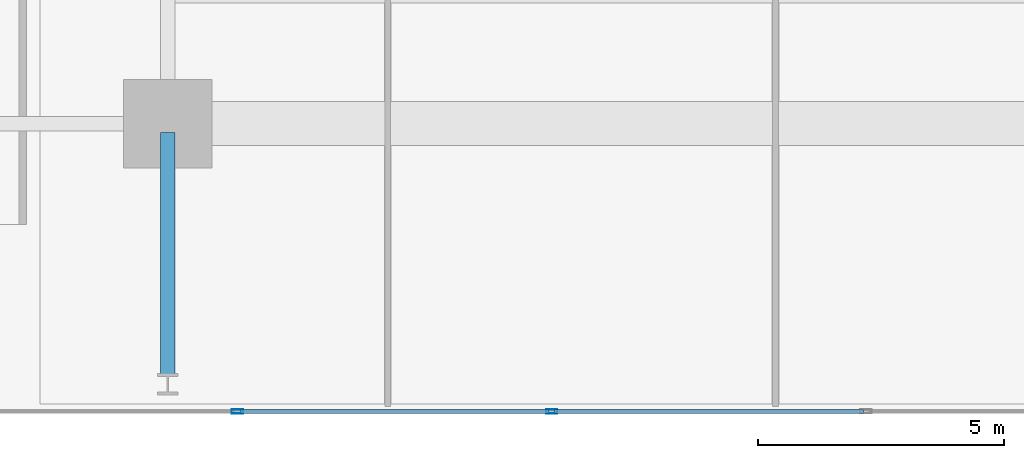
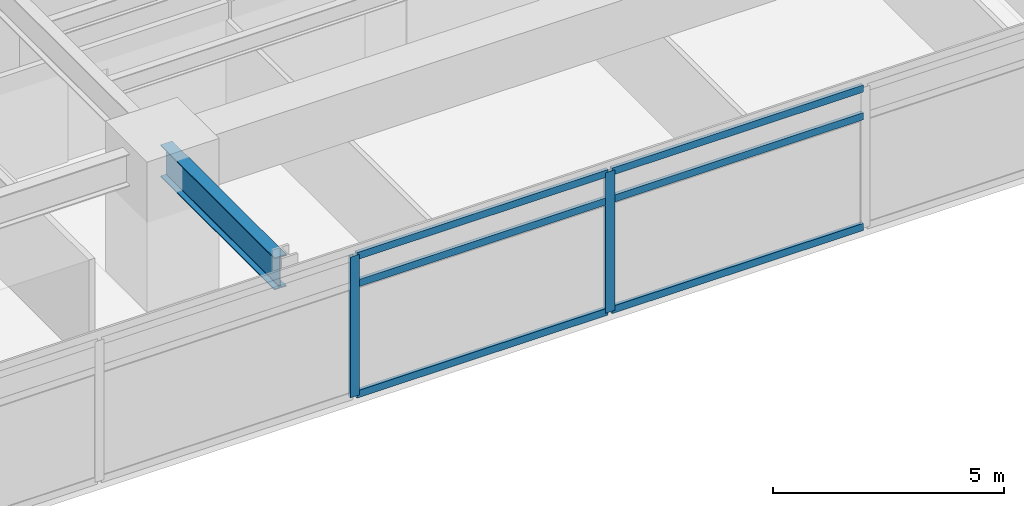
# One storey, part 4 of 20: 8 members, 1 beam, 1 element without a shape of its own.
"""IFC4 building model written with IfcOpenShell, lengths in metres."""

from ifc_helpers import new_model, si_unit, direction, frame, origin, origin_2d, place, context, subcontext, project, spatial, hollow_rectangle, i_section, extrude, material, material_profile, profile_set, type_object, element, aggregate, save


model = new_model("IFC4")

# Units and contexts
model_context = context("Model", 3, precision=1e-05, world=origin(), true_north=direction((0.0, 1.0)))
body_context = subcontext(model_context, "Body", "Model", "MODEL_VIEW")
ifc_project = project(units=[si_unit("LENGTHUNIT", "METRE"), si_unit("AREAUNIT", "SQUARE_METRE"), si_unit("VOLUMEUNIT", "CUBIC_METRE"), si_unit("PLANEANGLEUNIT", "RADIAN"), si_unit("MASSUNIT", "GRAM", prefix="KILO")], contexts=[model_context])

# Site, building, storey
site_placement = place(None, origin())
site = spatial("IfcSite", under=ifc_project, at=site_placement, CompositionType="ELEMENT")
building_placement = place(site_placement, origin())
building = spatial("IfcBuilding", under=site, at=building_placement, Name="Kovane Verandah Tower", CompositionType="ELEMENT")
storey_placement = place(building_placement, frame((0.0, 0.0, 75.60009765625)))
storey = spatial("IfcBuildingStorey", under=building, at=storey_placement, Name="L17", CompositionType="ELEMENT", Elevation=75.60009765625)

# Beam
ifc_material_1 = material(Name="Steel S355", Category="steel")
ifc_material_profile_1 = material_profile(ifc_material_1, i_section(OverallWidth=0.293701171875, OverallDepth=0.850830078125, WebThickness=0.01611328125, FlangeThickness=0.02685546875, FilletRadius=0.017822265625, at=origin_2d()), Name="UB838x292x226")
ifc_profile_set_1 = profile_set([ifc_material_profile_1], Name="Steel S355")
beam_type = type_object("IfcBeamType", Name="BM-UB838x226", PredefinedType="BEAM", material=ifc_profile_set_1)
beam_placement = place(storey_placement, frame((29.0, 10.6201171875, 3.33447265625), z_axis=(0.0, -1.0, 0.0), x_axis=(1.0, 0.0, 0.0)))
element("IfcBeam", 1, at=beam_placement, inside=storey, type_object=beam_type, Name="L17 Primary Tower Girder G-VS1", PredefinedType="BEAM", context=body_context, shape_type="SweptSolid", body=[
    extrude(i_section(OverallWidth=0.293701171875, OverallDepth=0.850830078125, WebThickness=0.01611328125, FlangeThickness=0.02685546875, FilletRadius=0.017822265625, at=origin_2d()), origin(), (0.0, 0.0, 1.0), 4.940185546875),
])

# Curtain wall, members
ifc_material_2 = material(Name="Champagne Anodised Aluminium Frame with Low-E Clear Laminated Glass", Category="aluminium")
curtain_wall_type = type_object("IfcCurtainWallType", Name="CW-SYS-02-LOW", PredefinedType="NOTDEFINED", material=ifc_material_2)
curtain_wall_placement = place(storey_placement, origin())
curtain_wall = element("IfcCurtainWall", 2, at=curtain_wall_placement, inside=storey, type_object=curtain_wall_type, Name="L17 S Unitised Curtain Wall", PredefinedType="NOTDEFINED")
ifc_material_3 = material(Name="Champagne Anodised Aluminium 6063-T6", Category="aluminium")
ifc_material_profile_2 = material_profile(ifc_material_3, hollow_rectangle(XDim=0.0849609375, YDim=0.22998046875, WallThickness=0.00390625, at=origin_2d()), Name="AL85x230x4")
ifc_profile_set_2 = profile_set([ifc_material_profile_2], Name="Champagne Anodised Aluminium 6063-T6")
member_type_1 = type_object("IfcMemberType", Name="CW-MUL-85x230", PredefinedType="MULLION", material=ifc_profile_set_2)
member_1_placement = place(storey_placement, frame((30.416015625, 4.9462890625, 0.02001953125), z_axis=(0.0, 0.0, 1.0), x_axis=(0.0, -1.0, 0.0)))
member_1 = element("IfcMember", 3, at=member_1_placement, type_object=member_type_1, Name="L17 S Unitised Curtain Wall Mullion 3", PredefinedType="MULLION", context=body_context, shape_type="SweptSolid", body=[
    extrude(hollow_rectangle(XDim=0.0849609375, YDim=0.22998046875, WallThickness=0.00390625, at=origin_2d()), origin(), (0.0, 0.0, 1.0), 3.719970703125),
])
member_2_placement = place(storey_placement, frame((36.805419921875, 4.9462890625, 0.02001953125), z_axis=(0.0, 0.0, 1.0), x_axis=(0.0, -1.0, 0.0)))
member_2 = element("IfcMember", 4, at=member_2_placement, type_object=member_type_1, Name="L17 S Unitised Curtain Wall Mullion 4", PredefinedType="MULLION", context=body_context, shape_type="SweptSolid", body=[
    extrude(hollow_rectangle(XDim=0.0849609375, YDim=0.22998046875, WallThickness=0.00390625, at=origin_2d()), origin(), (0.0, 0.0, 1.0), 3.719970703125),
])
ifc_material_profile_3 = material_profile(ifc_material_3, hollow_rectangle(XDim=0.0849609375, YDim=0.18994140625, WallThickness=0.00390625, at=origin_2d()), Name="AL85x190x4")
ifc_profile_set_3 = profile_set([ifc_material_profile_3], Name="Champagne Anodised Aluminium 6063-T6")
member_type_2 = type_object("IfcMemberType", Name="CW-TRN-85x190", PredefinedType="USERDEFINED", material=ifc_profile_set_3)
member_3_placement = place(storey_placement, frame((30.466064453125, 4.9462890625, 0.0498046875), z_axis=(1.0, 0.0, 0.0), x_axis=(0.0, 1.0, 0.0)))
member_3 = element("IfcMember", 5, at=member_3_placement, type_object=member_type_2, Name="L17 S Unitised Curtain Wall Transom TB Bay 3", ObjectType="TRANSOM", PredefinedType="USERDEFINED", context=body_context, shape_type="SweptSolid", body=[
    extrude(hollow_rectangle(XDim=0.0849609375, YDim=0.18994140625, WallThickness=0.00390625, at=origin_2d()), origin(), (0.0, 0.0, 1.0), 6.289306640625),
])
member_4_placement = place(storey_placement, frame((30.466064453125, 4.9462890625, 2.97998046875), z_axis=(1.0, 0.0, 0.0), x_axis=(0.0, 1.0, 0.0)))
member_4 = element("IfcMember", 6, at=member_4_placement, type_object=member_type_2, Name="L17 S Unitised Curtain Wall Transom TM Bay 3", ObjectType="TRANSOM", PredefinedType="USERDEFINED", context=body_context, shape_type="SweptSolid", body=[
    extrude(hollow_rectangle(XDim=0.0849609375, YDim=0.18994140625, WallThickness=0.00390625, at=origin_2d()), origin(), (0.0, 0.0, 1.0), 6.289306640625),
])
member_5_placement = place(storey_placement, frame((30.466064453125, 4.9462890625, 3.7099609375), z_axis=(1.0, 0.0, 0.0), x_axis=(0.0, 1.0, 0.0)))
member_5 = element("IfcMember", 7, at=member_5_placement, type_object=member_type_2, Name="L17 S Unitised Curtain Wall Transom TT Bay 3", ObjectType="TRANSOM", PredefinedType="USERDEFINED", context=body_context, shape_type="SweptSolid", body=[
    extrude(hollow_rectangle(XDim=0.0849609375, YDim=0.18994140625, WallThickness=0.00390625, at=origin_2d()), origin(), (0.0, 0.0, 1.0), 6.289306640625),
])
member_6_placement = place(storey_placement, frame((36.85546875, 4.9462890625, 0.0498046875), z_axis=(1.0, 0.0, 0.0), x_axis=(0.0, 1.0, 0.0)))
member_6 = element("IfcMember", 8, at=member_6_placement, type_object=member_type_2, Name="L17 S Unitised Curtain Wall Transom TB Bay 4", ObjectType="TRANSOM", PredefinedType="USERDEFINED", context=body_context, shape_type="SweptSolid", body=[
    extrude(hollow_rectangle(XDim=0.0849609375, YDim=0.18994140625, WallThickness=0.00390625, at=origin_2d()), origin(), (0.0, 0.0, 1.0), 6.2890625),
])
member_7_placement = place(storey_placement, frame((36.85546875, 4.9462890625, 2.97998046875), z_axis=(1.0, 0.0, 0.0), x_axis=(0.0, 1.0, 0.0)))
member_7 = element("IfcMember", 9, at=member_7_placement, type_object=member_type_2, Name="L17 S Unitised Curtain Wall Transom TM Bay 4", ObjectType="TRANSOM", PredefinedType="USERDEFINED", context=body_context, shape_type="SweptSolid", body=[
    extrude(hollow_rectangle(XDim=0.0849609375, YDim=0.18994140625, WallThickness=0.00390625, at=origin_2d()), origin(), (0.0, 0.0, 1.0), 6.2890625),
])
member_8_placement = place(storey_placement, frame((36.85546875, 4.9462890625, 3.7099609375), z_axis=(1.0, 0.0, 0.0), x_axis=(0.0, 1.0, 0.0)))
member_8 = element("IfcMember", 10, at=member_8_placement, type_object=member_type_2, Name="L17 S Unitised Curtain Wall Transom TT Bay 4", ObjectType="TRANSOM", PredefinedType="USERDEFINED", context=body_context, shape_type="SweptSolid", body=[
    extrude(hollow_rectangle(XDim=0.0849609375, YDim=0.18994140625, WallThickness=0.00390625, at=origin_2d()), origin(), (0.0, 0.0, 1.0), 6.2890625),
])
aggregate(curtain_wall, [member_1, member_2, member_3, member_4, member_5, member_6, member_7, member_8])

save(model, "model.ifc")
